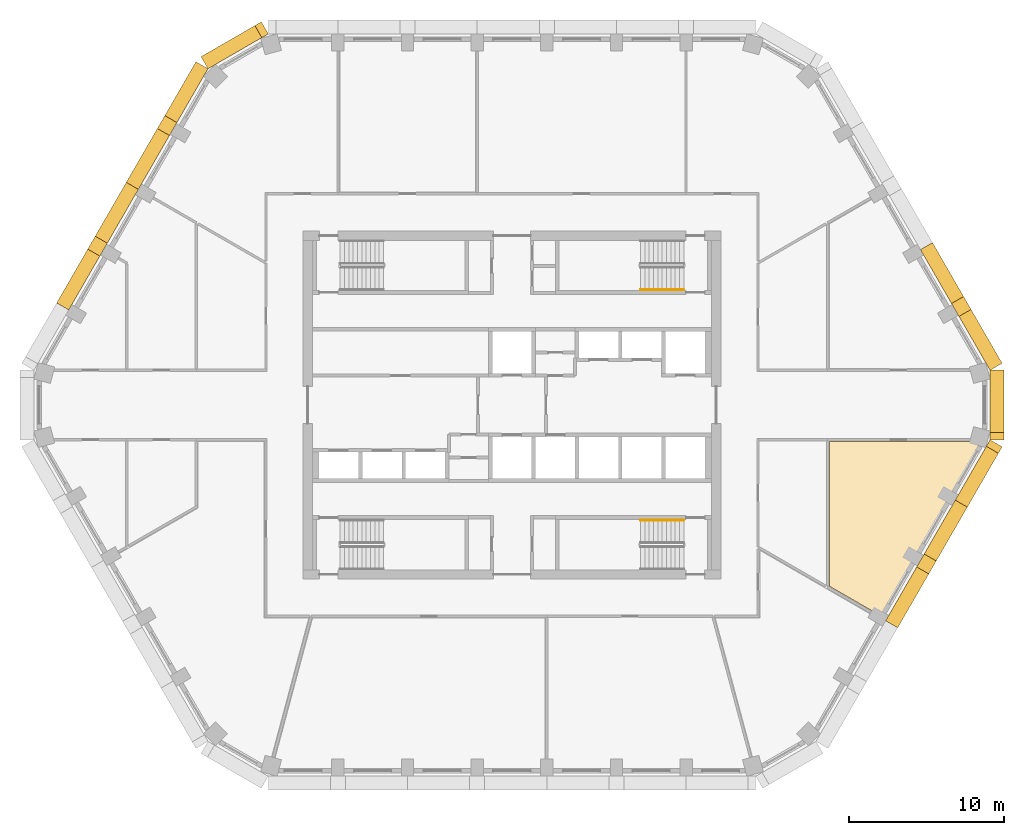
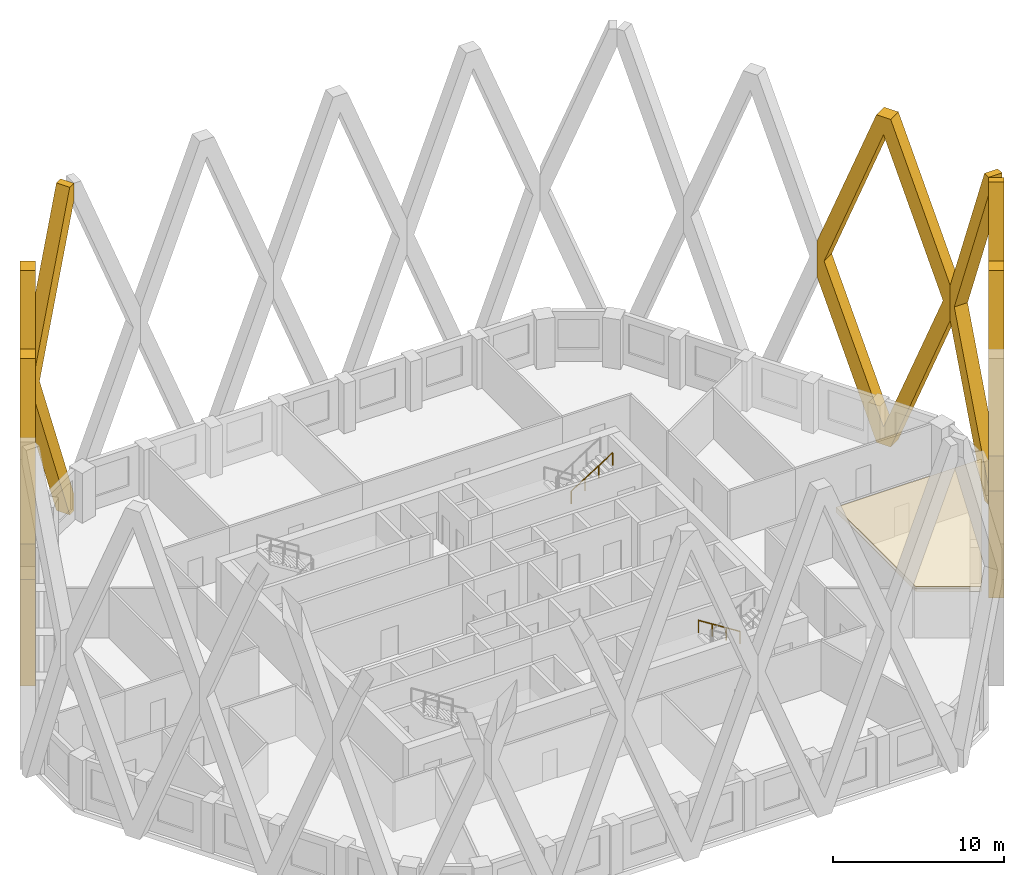
# One storey, part 12 of 15: 8 coverings, 2 railings.
"""IFC4 building model written with IfcOpenShell, lengths in metres."""

from ifc_helpers import new_model, si_unit, direction, frame, origin, origin_2d, place, context, subcontext, project, spatial, polyline, circle, outline, extrude, material, layer, layer_set, type_object, element, save


model = new_model("IFC4")

# Units and contexts
model_context = context("Model", 3, precision=1e-05, world=origin(), true_north=direction((0.0, 1.0)))
body_context = subcontext(model_context, "Body", "Model", "MODEL_VIEW")
ifc_project = project(units=[si_unit("LENGTHUNIT", "METRE"), si_unit("AREAUNIT", "SQUARE_METRE"), si_unit("VOLUMEUNIT", "CUBIC_METRE"), si_unit("PLANEANGLEUNIT", "RADIAN"), si_unit("MASSUNIT", "GRAM", prefix="KILO")], contexts=[model_context])

# Site, building, storey
site_placement = place(None, origin())
site = spatial("IfcSite", under=ifc_project, at=site_placement, CompositionType="ELEMENT")
building_placement = place(site_placement, origin())
building = spatial("IfcBuilding", under=site, at=building_placement, Name="Dhurran Vertical Campus", CompositionType="ELEMENT")
storey_placement = place(building_placement, frame((0.0, 0.0, 207.300048828125)))
storey = spatial("IfcBuildingStorey", under=building, at=storey_placement, Name="L51", CompositionType="ELEMENT", Elevation=207.300048828125)

# Coverings
ifc_material_1 = material(Name="Precast concrete C50/60", Category="concrete")
covering_type_1 = type_object("IfcCoveringType", Name="Folded precast fin lattice diamond", PredefinedType="USERDEFINED", material=ifc_material_1)
covering_1_placement = place(storey_placement, frame((24.147216796875, -13.94140625, 0.0), z_axis=(0.866013897511, -0.50001992892, 0.0), x_axis=(0.50001992892, 0.866013897511, 0.0)))
element("IfcCovering", 1, at=covering_1_placement, inside=storey, type_object=covering_type_1, Name="FN1 L51.007", ObjectType="FIN", PredefinedType="USERDEFINED", context=body_context, shape_type="SweptSolid", body=[
    extrude(outline(polyline([(9.0, 12.95361328125), (9.0, 10.4462890625), (4.982177734375, 0.0), (4.017822265625, 0.0), (0.0, 10.4462890625), (0.0, 12.95361328125), (4.017822265625, 23.39990234375), (4.982177734375, 23.39990234375), (9.0, 12.95361328125)]), holes=[polyline([(8.517822265625, 11.699951171875), (4.5, 22.146484375), (0.482177734375, 11.699951171875), (4.5, 1.253662109375), (8.517822265625, 11.699951171875)])]), origin(), (0.0, 0.0, 1.0), 0.89990234375),
])
covering_2_placement = place(storey_placement, frame((28.647216796875, -6.147216796875, 0.0), z_axis=(0.866013897511, -0.50001992892, 0.0), x_axis=(0.50001992892, 0.866013897511, 0.0)))
element("IfcCovering", 2, at=covering_2_placement, inside=storey, type_object=covering_type_1, Name="FN1 L51.008", ObjectType="FIN", PredefinedType="USERDEFINED", context=body_context, shape_type="SweptSolid", body=[
    extrude(outline(polyline([(4.017822265625, 0.0), (0.0, 10.4462890625), (0.0, 12.95361328125), (4.017822265625, 23.39990234375), (4.5, 23.39990234375), (4.5, 22.146484375), (0.482177734375, 11.699951171875), (4.5, 1.253662109375), (4.5, 0.0), (4.017822265625, 0.0)])), origin(), (0.0, 0.0, 1.0), 0.89990234375),
])
covering_3_placement = place(storey_placement, frame((30.897216796875, -2.25, 0.0), z_axis=(1.0, 0.0, 0.0), x_axis=(0.0, 1.0, 0.0)))
element("IfcCovering", 3, at=covering_3_placement, inside=storey, type_object=covering_type_1, Name="FN1 L51.009", ObjectType="FIN", PredefinedType="USERDEFINED", context=body_context, shape_type="SweptSolid", body=[
    extrude(outline(polyline([(4.5, 10.4462890625), (0.482177734375, 0.0), (0.0, 0.0), (0.0, 1.253662109375), (4.017822265625, 11.699951171875), (0.0, 22.146484375), (0.0, 23.39990234375), (0.482177734375, 23.39990234375), (4.5, 12.95361328125), (4.5, 10.4462890625)])), origin(), (0.0, 0.0, 1.0), 0.89990234375),
])
covering_4_placement = place(storey_placement, frame((30.897216796875, 2.25, 0.0), z_axis=(0.866013897511, 0.50001992892, 0.0), x_axis=(-0.50001992892, 0.866013897511, 0.0)))
element("IfcCovering", 4, at=covering_4_placement, inside=storey, type_object=covering_type_1, Name="FN1 L51.010", ObjectType="FIN", PredefinedType="USERDEFINED", context=body_context, shape_type="SweptSolid", body=[
    extrude(outline(polyline([(9.0, 12.95361328125), (9.0, 10.4462890625), (4.982177734375, 0.0), (4.017822265625, 0.0), (0.0, 10.4462890625), (0.0, 12.95361328125), (4.017822265625, 23.39990234375), (4.982177734375, 23.39990234375), (9.0, 12.95361328125)]), holes=[polyline([(8.517822265625, 11.699951171875), (4.5, 22.146484375), (0.482177734375, 11.699951171875), (4.5, 1.253662109375), (8.517822265625, 11.699951171875)])]), origin(), (0.0, 0.0, 1.0), 0.89990234375),
])
covering_5_placement = place(storey_placement, frame((-15.75, 23.985595703125, 0.0), z_axis=(-0.50001992892, 0.866013897511, 0.0), x_axis=(-0.866013897511, -0.50001992892, 0.0)))
element("IfcCovering", 5, at=covering_5_placement, inside=storey, type_object=covering_type_1, Name="FN1 L51.018", ObjectType="FIN", PredefinedType="USERDEFINED", context=body_context, shape_type="SweptSolid", body=[
    extrude(outline(polyline([(4.5, 10.4462890625), (0.482177734375, 0.0), (0.0, 0.0), (0.0, 1.253662109375), (4.017822265625, 11.699951171875), (0.0, 22.146484375), (0.0, 23.39990234375), (0.482177734375, 23.39990234375), (4.5, 12.95361328125), (4.5, 10.4462890625)])), origin(), (0.0, 0.0, 1.0), 0.89990234375),
])
for number, where, z_axis, x_axis, name in (
    (6, (-19.647216796875, 21.735595703125, 0.0), (-0.866013897511, 0.50001992892, 0.0), (-0.50001992892, -0.866013897511, 0.0), "FN1 L51.019"),
    (7, (-24.147216796875, 13.94140625, 0.0), (-0.866013897511, 0.50001992892, 0.0), (-0.50001992892, -0.866013897511, 0.0), "FN1 L51.020"),
):
    element("IfcCovering", number, at=place(storey_placement, frame(where, z_axis=z_axis, x_axis=x_axis)), inside=storey, type_object=covering_type_1, Name=name, ObjectType="FIN", PredefinedType="USERDEFINED", context=body_context, shape_type="SweptSolid", body=[
        extrude(outline(polyline([(9.0, 12.95361328125), (9.0, 10.4462890625), (4.982177734375, 0.0), (4.017822265625, 0.0), (0.0, 10.4462890625), (0.0, 12.95361328125), (4.017822265625, 23.39990234375), (4.982177734375, 23.39990234375), (9.0, 12.95361328125)]), holes=[polyline([(8.517822265625, 11.699951171875), (4.5, 22.146484375), (0.482177734375, 11.699951171875), (4.5, 1.253662109375), (8.517822265625, 11.699951171875)])]), origin(), (0.0, 0.0, 1.0), 0.89990234375),
    ])

# Railings
ifc_material_2 = material(Name="Stainless steel handrail", Category="steel")
railing_type = type_object("IfcRailingType", Name="co-RL-HANDRAIL-900", PredefinedType="HANDRAIL", material=ifc_material_2)
railing_1_placement = place(storey_placement, frame((8.300048828125, 7.449951171875, 2.127197265625)))
element("IfcRailing", 8, at=railing_1_placement, inside=storey, type_object=railing_type, Name="L51 ST2 stair handrail 2", PredefinedType="HANDRAIL", context=body_context, shape_type="SweptSolid", body=[
    extrude(circle(Radius=0.02392578125, at=origin_2d()), frame((0.0, 0.0, 0.8759765625), z_axis=(0.844908973607, 0.0, 0.534910110503), x_axis=(0.0, 1.0, 0.0)), (0.0, 0.0, 1.0), 3.31396484375),
    extrude(circle(Radius=0.02099609375, at=origin_2d()), origin(), (0.0, 0.0, 1.0), 0.851806640625),
    extrude(circle(Radius=0.02099609375, at=origin_2d()), frame((0.933349609375, 0.0, 0.5908203125)), (0.0, 0.0, 1.0), 0.851806640625),
    extrude(circle(Radius=0.02099609375, at=origin_2d()), frame((1.86669921875, 0.0, 1.181884765625)), (0.0, 0.0, 1.0), 0.851806640625),
    extrude(circle(Radius=0.02099609375, at=origin_2d()), frame((2.800048828125, 0.0, 1.772705078125)), (0.0, 0.0, 1.0), 0.851806640625),
])
railing_2_placement = place(storey_placement, frame((11.10009765625, -7.449951171875, 0.17724609375)))
element("IfcRailing", 9, at=railing_2_placement, inside=storey, type_object=railing_type, Name="L51 ST4 stair handrail 1", PredefinedType="HANDRAIL", context=body_context, shape_type="SweptSolid", body=[
    extrude(circle(Radius=0.02392578125, at=origin_2d()), frame((0.0, 0.0, 0.8759765625), z_axis=(-0.844908973607, 0.0, 0.534910110503), x_axis=(0.0, -1.0, 0.0)), (0.0, 0.0, 1.0), 3.31396484375),
    extrude(circle(Radius=0.02099609375, at=origin_2d()), origin(), (0.0, 0.0, 1.0), 0.851806640625),
    extrude(circle(Radius=0.02099609375, at=origin_2d()), frame((-0.933349609375, 0.0, 0.5908203125)), (0.0, 0.0, 1.0), 0.851806640625),
    extrude(circle(Radius=0.02099609375, at=origin_2d()), frame((-1.86669921875, 0.0, 1.181884765625)), (0.0, 0.0, 1.0), 0.851806640625),
    extrude(circle(Radius=0.02099609375, at=origin_2d()), frame((-2.800048828125, 0.0, 1.772705078125)), (0.0, 0.0, 1.0), 0.851806640625),
])

# Covering
ifc_material_3 = material(Name="Mineral fibre ceiling tiles on suspended grid")
ifc_layer = layer(ifc_material_3, 0.35009765625)
ifc_layer_set = layer_set([ifc_layer], Name="Mineral fibre ceiling tiles on suspended grid")
covering_type_2 = type_object("IfcCoveringType", Name="fl-CE-350 suspended ceiling", PredefinedType="CEILING", material=ifc_layer_set)
covering_6_placement = place(storey_placement, frame((0.0, 0.0, 3.199951171875)))
element("IfcCovering", 10, at=covering_6_placement, inside=storey, type_object=covering_type_2, Name="Ceiling 51-18", PredefinedType="CEILING", context=body_context, shape_type="SweptSolid", body=[
    extrude(outline(polyline([(23.843017578125, -13.626953125), (20.52001953125, -11.708984375), (20.52001953125, -2.3701171875), (30.343017578125, -2.3701171875), (27.0458984375, -8.080078125), (23.843017578125, -13.626953125)])), origin(), (0.0, 0.0, 1.0), 0.35009765625),
])

save(model, "model.ifc")
